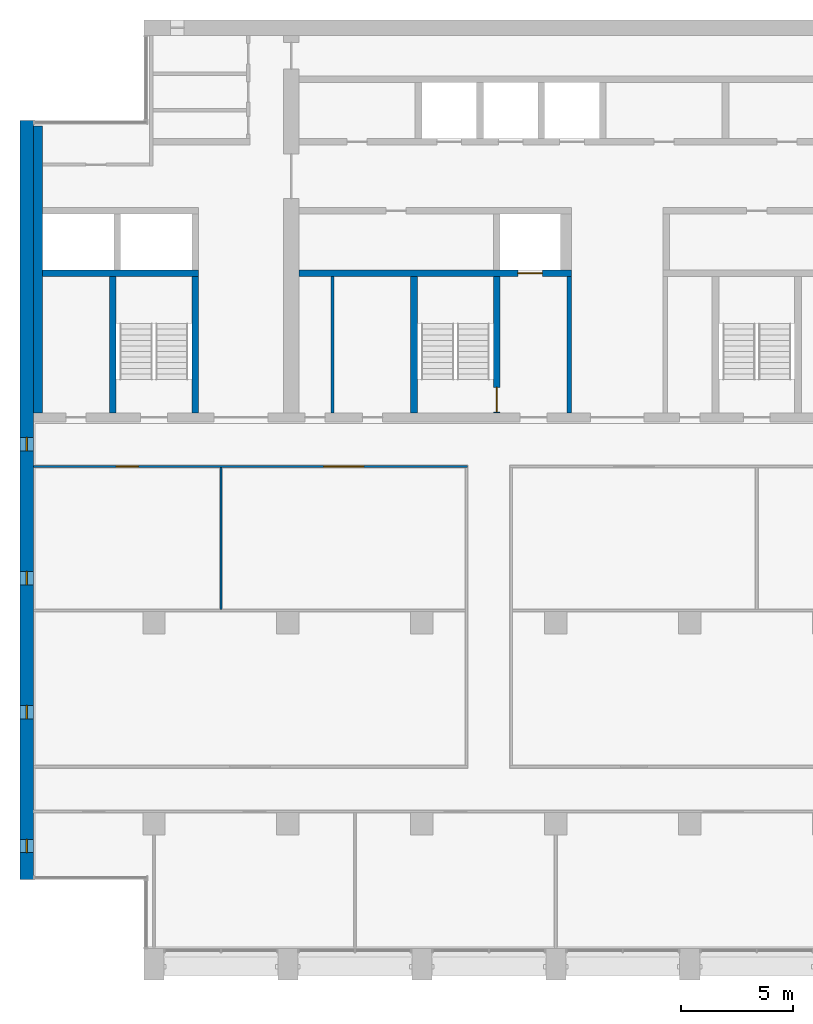
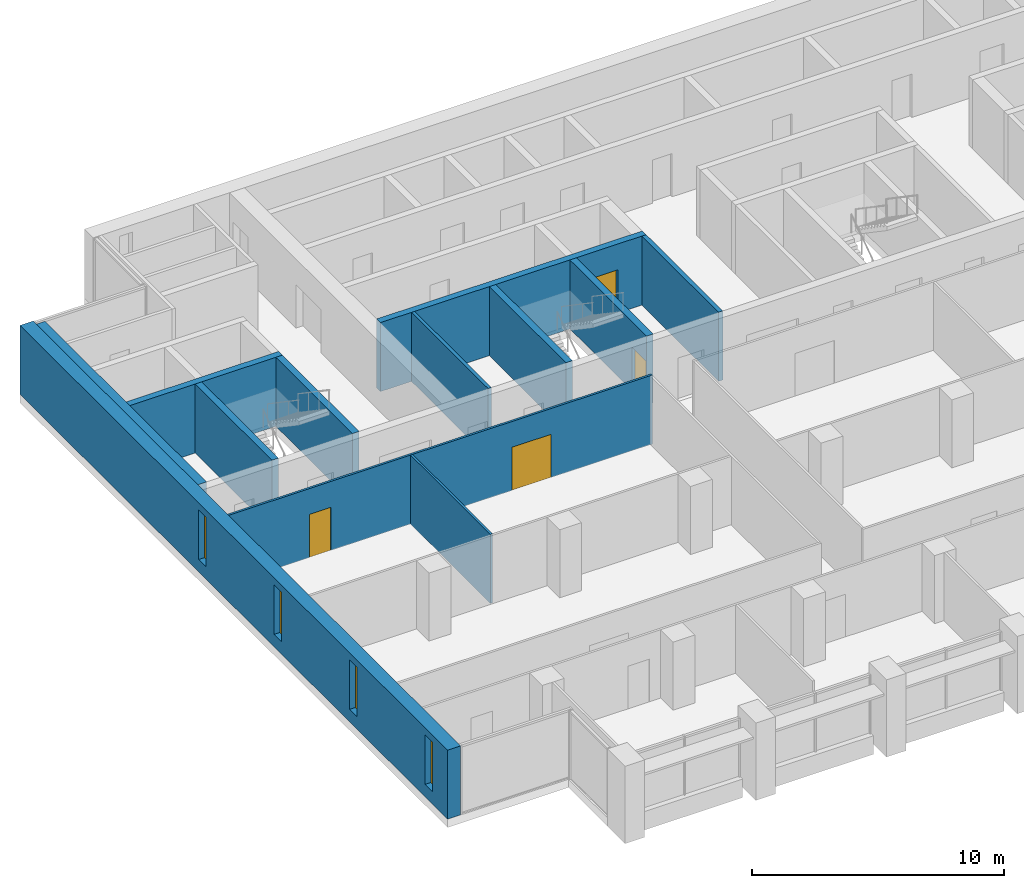
# One storey, part 8 of 17: 12 walls, 4 doors, 4 windows, 8 openings.
"""IFC4 building model written with IfcOpenShell, lengths in metres."""

from ifc_helpers import new_model, si_unit, direction, frame, frame_2d, origin, place, context, subcontext, project, spatial, rectangle, extrude, material, layer, layer_set, type_object, element, fill, save


model = new_model("IFC4")

# Units and contexts
model_context = context("Model", 3, precision=1e-05, world=origin(), true_north=direction((0.0, 1.0)))
body_context = subcontext(model_context, "Body", "Model", "MODEL_VIEW")
ifc_project = project(units=[si_unit("LENGTHUNIT", "METRE"), si_unit("AREAUNIT", "SQUARE_METRE"), si_unit("VOLUMEUNIT", "CUBIC_METRE"), si_unit("PLANEANGLEUNIT", "RADIAN"), si_unit("MASSUNIT", "GRAM", prefix="KILO")], contexts=[model_context])

# Site, building, storey
site_placement = place(None, origin())
site = spatial("IfcSite", under=ifc_project, at=site_placement, CompositionType="ELEMENT")
building_placement = place(site_placement, origin())
building = spatial("IfcBuilding", under=site, at=building_placement, Name="Calvaro Tower", CompositionType="ELEMENT")
storey_placement = place(building_placement, frame((0.0, 0.0, 219.25)))
storey = spatial("IfcBuildingStorey", under=building, at=storey_placement, Name="L55", CompositionType="ELEMENT", Elevation=219.25)

# Walls
ifc_material_1 = material(Name="Blockwork partition", Category="masonry")
ifc_layer_1 = layer(ifc_material_1, 0.14990234375)
ifc_layer_set_1 = layer_set([ifc_layer_1], Name="Blockwork partition")
wall_type_1 = type_object("IfcWallType", Name="Core partition 150 REI 120", PredefinedType="PARTITIONING", material=ifc_layer_set_1)
wall_1_placement = place(storey_placement, frame((20.0, 28.39990234375, 0.0), z_axis=(0.0, 0.0, 1.0), x_axis=(0.0, 1.0, 0.0)))
element("IfcWall", 1, at=wall_1_placement, inside=storey, type_object=wall_type_1, Name="Core partition", PredefinedType="PARTITIONING", context=body_context, shape_type="SweptSolid", body=[
    extrude(rectangle(XDim=6.10009765625, YDim=0.14990234375, at=frame_2d((3.050048828125, 0.0))), origin(), (0.0, 0.0, 1.0), 3.35009765625),
])
ifc_material_2 = material(Name="Blockwork partition", Category="masonry")
ifc_layer_2 = layer(ifc_material_2, 0.199951171875)
ifc_layer_set_2 = layer_set([ifc_layer_2], Name="Blockwork partition")
wall_type_2 = type_object("IfcWallType", Name="Core partition 200 REI 120", PredefinedType="PARTITIONING", material=ifc_layer_set_2)
wall_2_placement = place(storey_placement, frame((30.60009765625, 28.39990234375, 0.0), z_axis=(0.0, 0.0, 1.0), x_axis=(0.0, 1.0, 0.0)))
element("IfcWall", 2, at=wall_2_placement, inside=storey, type_object=wall_type_2, Name="Core partition", PredefinedType="PARTITIONING", context=body_context, shape_type="SweptSolid", body=[
    extrude(rectangle(XDim=6.10009765625, YDim=0.199951171875, at=frame_2d((3.050048828125, 0.0))), origin(), (0.0, 0.0, 1.0), 3.35009765625),
])
ifc_material_3 = material(Name="Concrete C50/60", Category="concrete")
ifc_layer_3 = layer(ifc_material_3, 0.300048828125)
ifc_layer_set_3 = layer_set([ifc_layer_3], Name="Concrete C50/60")
wall_type_3 = type_object("IfcWallType", Name="Core wall C50/60 300", PredefinedType="SHEAR", material=ifc_layer_set_3)
for number, where, z_axis, x_axis, name in (
    (3, (10.14990234375, 28.39990234375, 0.0), (0.0, 0.0, 1.0), (0.0, 1.0, 0.0), "Core wall, stair enclosure"),
    (4, (13.85009765625, 28.39990234375, 0.0), (0.0, 0.0, 1.0), (0.0, 1.0, 0.0), "Core wall, stair enclosure"),
    (5, (23.64990234375, 28.39990234375, 0.0), (0.0, 0.0, 1.0), (0.0, 1.0, 0.0), "Core wall, stair enclosure"),
):
    element("IfcWall", number, at=place(storey_placement, frame(where, z_axis=z_axis, x_axis=x_axis)), inside=storey, type_object=wall_type_3, Name=name, PredefinedType="SHEAR", context=body_context, shape_type="SweptSolid", body=[
        extrude(rectangle(XDim=6.10009765625, YDim=0.300048828125, at=frame_2d((3.050048828125, 0.0))), origin(), (0.0, 0.0, 1.0), 3.35009765625),
    ])

# Wall, opening, door
wall_3_placement = place(storey_placement, frame((27.35009765625, 28.39990234375, 0.0), z_axis=(0.0, 0.0, 1.0), x_axis=(0.0, 1.0, 0.0)))
wall_3 = element("IfcWall", 6, at=wall_3_placement, inside=storey, type_object=wall_type_3, Name="Core wall, stair enclosure", PredefinedType="SHEAR", context=body_context, shape_type="SweptSolid", body=[
    extrude(rectangle(XDim=6.10009765625, YDim=0.300048828125, at=frame_2d((3.050048828125, 0.0))), origin(), (0.0, 0.0, 1.0), 3.35009765625),
])
opening_1_placement = place(wall_3_placement, frame((0.050048828125, 0.0, 0.0)))
opening_1 = element("IfcOpeningElement", 7, at=opening_1_placement, cuts=wall_3, Name="Opening FD11D", PredefinedType="OPENING", context=body_context, shape_type="SweptSolid", body=[
    extrude(rectangle(XDim=1.10009765625, YDim=2.10009765625, at=frame_2d((0.550048828125, 1.050048828125))), frame((0.0, 0.159912109375, 0.0), z_axis=(0.0, -1.0, 0.0), x_axis=(1.0, 0.0, 0.0)), (0.0, 0.0, 1.0), 0.320068359375),
])
ifc_material_4 = material(Name="Steel door set", Category="steel")
door_type_1 = type_object("IfcDoorType", Name="Fire door 1100 FD30S", OperationType="SINGLE_SWING_LEFT", PredefinedType="DOOR", material=ifc_material_4)
door_1_placement = place(opening_1_placement, origin())
door_1 = element("IfcDoor", 8, at=door_1_placement, inside=storey, type_object=door_type_1, Name="Fire door", OperationType="SINGLE_SWING_LEFT", OverallHeight=2.10009765625, OverallWidth=1.10009765625, PredefinedType="DOOR", context=body_context, shape_type="SweptSolid", body=[
    extrude(rectangle(XDim=1.10009765625, YDim=2.10009765625, at=frame_2d((0.550048828125, 1.050048828125))), frame((0.0, 0.02490234375, 0.0), z_axis=(0.0, -1.0, 0.0), x_axis=(1.0, 0.0, 0.0)), (0.0, 0.0, 1.0), 0.050048828125),
])
fill(opening_1, door_1)

# Wall
wall_4_placement = place(storey_placement, frame((7.0, 34.64990234375, 0.0), z_axis=(0.0, 0.0, 1.0), x_axis=(1.0, 0.0, 0.0)))
element("IfcWall", 9, at=wall_4_placement, inside=storey, type_object=wall_type_3, Name="Core wall, lift shaft", PredefinedType="SHEAR", context=body_context, shape_type="SweptSolid", body=[
    extrude(rectangle(XDim=7.0, YDim=0.300048828125, at=frame_2d((3.5, 0.0))), origin(), (0.0, 0.0, 1.0), 3.35009765625),
])

# Wall, opening, door
wall_5_placement = place(storey_placement, frame((18.5, 34.64990234375, 0.0), z_axis=(0.0, 0.0, 1.0), x_axis=(1.0, 0.0, 0.0)))
wall_5 = element("IfcWall", 10, at=wall_5_placement, inside=storey, type_object=wall_type_3, Name="Core wall, lift shaft", PredefinedType="SHEAR", context=body_context, shape_type="SweptSolid", body=[
    extrude(rectangle(XDim=12.199951171875, YDim=0.300048828125, at=frame_2d((6.10009765625, 0.0))), origin(), (0.0, 0.0, 1.0), 3.35009765625),
])
opening_2_placement = place(wall_5_placement, frame((9.800048828125, 0.0, 0.0)))
opening_2 = element("IfcOpeningElement", 11, at=opening_2_placement, cuts=wall_5, Name="Opening FF1", PredefinedType="OPENING", context=body_context, shape_type="SweptSolid", body=[
    extrude(rectangle(XDim=1.10009765625, YDim=2.10009765625, at=frame_2d((0.550048828125, 1.050048828125))), frame((0.0, 0.159912109375, 0.0), z_axis=(0.0, -1.0, 0.0), x_axis=(1.0, 0.0, 0.0)), (0.0, 0.0, 1.0), 0.320068359375),
])
ifc_material_5 = material(Name="Stainless steel", Category="steel")
door_type_2 = type_object("IfcDoorType", Name="Landing door 1100 E 60", OperationType="SLIDING_TO_LEFT", PredefinedType="DOOR", material=ifc_material_5)
door_2_placement = place(opening_2_placement, origin())
door_2 = element("IfcDoor", 12, at=door_2_placement, inside=storey, type_object=door_type_2, Name="Landing door FF1", OperationType="SLIDING_TO_LEFT", OverallHeight=2.10009765625, OverallWidth=1.10009765625, PredefinedType="DOOR", context=body_context, shape_type="SweptSolid", body=[
    extrude(rectangle(XDim=1.10009765625, YDim=2.10009765625, at=frame_2d((0.550048828125, 1.050048828125))), frame((0.0, 0.02490234375, 0.0), z_axis=(0.0, -1.0, 0.0), x_axis=(1.0, 0.0, 0.0)), (0.0, 0.0, 1.0), 0.050048828125),
])
fill(opening_2, door_2)

# Wall
ifc_material_6 = material(Name="Concrete C50/60", Category="concrete")
ifc_layer_4 = layer(ifc_material_6, 0.39990234375)
ifc_layer_set_4 = layer_set([ifc_layer_4], Name="Concrete C50/60")
wall_type_4 = type_object("IfcWallType", Name="Core wall C50/60 400", PredefinedType="SHEAR", material=ifc_layer_set_4)
wall_6_placement = place(storey_placement, frame((6.800048828125, 28.39990234375, 0.0), z_axis=(0.0, 0.0, 1.0), x_axis=(0.0, 1.0, 0.0)))
element("IfcWall", 13, at=wall_6_placement, inside=storey, type_object=wall_type_4, Name="Core wall, boundary", PredefinedType="SHEAR", context=body_context, shape_type="SweptSolid", body=[
    extrude(rectangle(XDim=12.85009765625, YDim=0.39990234375, at=frame_2d((6.425048828125, 0.0))), origin(), (0.0, 0.0, 1.0), 3.35009765625),
])

# Wall, openings, windows
ifc_material_7 = material(Name="Concrete C50/60", Category="concrete")
ifc_layer_5 = layer(ifc_material_7, 0.60009765625)
ifc_layer_set_5 = layer_set([ifc_layer_5], Name="Concrete C50/60")
wall_type_5 = type_object("IfcWallType", Name="End wall 600 C50/60", PredefinedType="SHEAR", material=ifc_layer_set_5)
wall_7_placement = place(storey_placement, frame((6.300048828125, 7.5, 0.0), z_axis=(0.0, 0.0, 1.0), x_axis=(0.0, 1.0, 0.0)))
wall_7 = element("IfcWall", 14, at=wall_7_placement, inside=storey, type_object=wall_type_5, Name="End shear wall", PredefinedType="SHEAR", context=body_context, shape_type="SweptSolid", body=[
    extrude(rectangle(XDim=34.0, YDim=0.60009765625, at=frame_2d((17.0, 0.0))), origin(), (0.0, 0.0, 1.0), 3.35009765625),
])
opening_3_placement = place(wall_7_placement, frame((1.199951171875, 0.0, 0.60009765625)))
opening_3 = element("IfcOpeningElement", 15, at=opening_3_placement, cuts=wall_7, Name="Opening WW01", PredefinedType="OPENING", context=body_context, shape_type="SweptSolid", body=[
    extrude(rectangle(XDim=0.60009765625, YDim=2.39990234375, at=frame_2d((0.300048828125, 1.199951171875))), frame((0.0, 0.31005859375, 0.0), z_axis=(0.0, -1.0, 0.0), x_axis=(1.0, 0.0, 0.0)), (0.0, 0.0, 1.0), 0.6201171875),
])
opening_4_placement = place(wall_7_placement, frame((7.199951171875, 0.0, 0.60009765625)))
opening_4 = element("IfcOpeningElement", 16, at=opening_4_placement, cuts=wall_7, Name="Opening WW02", PredefinedType="OPENING", context=body_context, shape_type="SweptSolid", body=[
    extrude(rectangle(XDim=0.60009765625, YDim=2.39990234375, at=frame_2d((0.300048828125, 1.199951171875))), frame((0.0, 0.31005859375, 0.0), z_axis=(0.0, -1.0, 0.0), x_axis=(1.0, 0.0, 0.0)), (0.0, 0.0, 1.0), 0.6201171875),
])
opening_5_placement = place(wall_7_placement, frame((13.199951171875, 0.0, 0.60009765625)))
opening_5 = element("IfcOpeningElement", 17, at=opening_5_placement, cuts=wall_7, Name="Opening WW03", PredefinedType="OPENING", context=body_context, shape_type="SweptSolid", body=[
    extrude(rectangle(XDim=0.60009765625, YDim=2.39990234375, at=frame_2d((0.300048828125, 1.199951171875))), frame((0.0, 0.31005859375, 0.0), z_axis=(0.0, -1.0, 0.0), x_axis=(1.0, 0.0, 0.0)), (0.0, 0.0, 1.0), 0.6201171875),
])
opening_6_placement = place(wall_7_placement, frame((19.199951171875, 0.0, 0.60009765625)))
opening_6 = element("IfcOpeningElement", 18, at=opening_6_placement, cuts=wall_7, Name="Opening WW04", PredefinedType="OPENING", context=body_context, shape_type="SweptSolid", body=[
    extrude(rectangle(XDim=0.60009765625, YDim=2.39990234375, at=frame_2d((0.300048828125, 1.199951171875))), frame((0.0, 0.31005859375, 0.0), z_axis=(0.0, -1.0, 0.0), x_axis=(1.0, 0.0, 0.0)), (0.0, 0.0, 1.0), 0.6201171875),
])
ifc_material_8 = material(Name="Glass", Category="glass")
window_type = type_object("IfcWindowType", Name="Slit window 600 x 2400", PartitioningType="SINGLE_PANEL", PredefinedType="WINDOW", material=ifc_material_8)
window_1_placement = place(opening_3_placement, origin())
window_1 = element("IfcWindow", 19, at=window_1_placement, inside=storey, type_object=window_type, Name="Window WW01", OverallHeight=2.39990234375, OverallWidth=0.60009765625, PartitioningType="SINGLE_PANEL", PredefinedType="WINDOW", context=body_context, shape_type="SweptSolid", body=[
    extrude(rectangle(XDim=0.60009765625, YDim=2.39990234375, at=frame_2d((0.300048828125, 1.199951171875))), frame((0.0, 0.030029296875, 0.0), z_axis=(0.0, -1.0, 0.0), x_axis=(1.0, 0.0, 0.0)), (0.0, 0.0, 1.0), 0.06005859375),
])
fill(opening_3, window_1)
window_2_placement = place(opening_4_placement, origin())
window_2 = element("IfcWindow", 20, at=window_2_placement, inside=storey, type_object=window_type, Name="Window WW02", OverallHeight=2.39990234375, OverallWidth=0.60009765625, PartitioningType="SINGLE_PANEL", PredefinedType="WINDOW", context=body_context, shape_type="SweptSolid", body=[
    extrude(rectangle(XDim=0.60009765625, YDim=2.39990234375, at=frame_2d((0.300048828125, 1.199951171875))), frame((0.0, 0.030029296875, 0.0), z_axis=(0.0, -1.0, 0.0), x_axis=(1.0, 0.0, 0.0)), (0.0, 0.0, 1.0), 0.06005859375),
])
fill(opening_4, window_2)
window_3_placement = place(opening_5_placement, origin())
window_3 = element("IfcWindow", 21, at=window_3_placement, inside=storey, type_object=window_type, Name="Window WW03", OverallHeight=2.39990234375, OverallWidth=0.60009765625, PartitioningType="SINGLE_PANEL", PredefinedType="WINDOW", context=body_context, shape_type="SweptSolid", body=[
    extrude(rectangle(XDim=0.60009765625, YDim=2.39990234375, at=frame_2d((0.300048828125, 1.199951171875))), frame((0.0, 0.030029296875, 0.0), z_axis=(0.0, -1.0, 0.0), x_axis=(1.0, 0.0, 0.0)), (0.0, 0.0, 1.0), 0.06005859375),
])
fill(opening_5, window_3)
window_4_placement = place(opening_6_placement, origin())
window_4 = element("IfcWindow", 22, at=window_4_placement, inside=storey, type_object=window_type, Name="Window WW04", OverallHeight=2.39990234375, OverallWidth=0.60009765625, PartitioningType="SINGLE_PANEL", PredefinedType="WINDOW", context=body_context, shape_type="SweptSolid", body=[
    extrude(rectangle(XDim=0.60009765625, YDim=2.39990234375, at=frame_2d((0.300048828125, 1.199951171875))), frame((0.0, 0.030029296875, 0.0), z_axis=(0.0, -1.0, 0.0), x_axis=(1.0, 0.0, 0.0)), (0.0, 0.0, 1.0), 0.06005859375),
])
fill(opening_6, window_4)

# Wall, openings, doors
ifc_material_9 = material(Name="Plasterboard on steel studs", Category="steel")
ifc_layer_6 = layer(ifc_material_9, 0.10009765625)
ifc_layer_set_6 = layer_set([ifc_layer_6], Name="Plasterboard on steel studs")
wall_type_6 = type_object("IfcWallType", Name="Partition 100", PredefinedType="PARTITIONING", material=ifc_layer_set_6)
wall_8_placement = place(storey_placement, frame((6.60009765625, 26.0, 0.0), z_axis=(0.0, 0.0, 1.0), x_axis=(1.0, 0.0, 0.0)))
wall_8 = element("IfcWall", 23, at=wall_8_placement, inside=storey, type_object=wall_type_6, Name="Partition T31.W008", PredefinedType="PARTITIONING", context=body_context, shape_type="SweptSolid", body=[
    extrude(rectangle(XDim=19.449951171875, YDim=0.10009765625, at=frame_2d((9.72509765625, 0.0))), origin(), (0.0, 0.0, 1.0), 3.35009765625),
])
opening_7_placement = place(wall_8_placement, frame((3.699951171875, 0.0, 0.0)))
opening_7 = element("IfcOpeningElement", 24, at=opening_7_placement, cuts=wall_8, Name="Opening T31.012", PredefinedType="OPENING", context=body_context, shape_type="SweptSolid", body=[
    extrude(rectangle(XDim=1.0, YDim=2.10009765625, at=frame_2d((0.5, 1.050048828125))), frame((0.0, 0.06005859375, 0.0), z_axis=(0.0, -1.0, 0.0), x_axis=(1.0, 0.0, 0.0)), (0.0, 0.0, 1.0), 0.1201171875),
])
opening_8_placement = place(wall_8_placement, frame((13.0, 0.0, 0.0)))
opening_8 = element("IfcOpeningElement", 25, at=opening_8_placement, cuts=wall_8, Name="Opening T31.013", PredefinedType="OPENING", context=body_context, shape_type="SweptSolid", body=[
    extrude(rectangle(XDim=1.800048828125, YDim=2.10009765625, at=frame_2d((0.89990234375, 1.050048828125))), frame((0.0, 0.06005859375, 0.0), z_axis=(0.0, -1.0, 0.0), x_axis=(1.0, 0.0, 0.0)), (0.0, 0.0, 1.0), 0.1201171875),
])
ifc_material_10 = material(Name="Timber", Category="wood")
door_type_3 = type_object("IfcDoorType", Name="Internal double door 1800 x 2100", OperationType="DOUBLE_DOOR_SINGLE_SWING", PredefinedType="DOOR", material=ifc_material_10)
door_3_placement = place(opening_8_placement, origin())
door_3 = element("IfcDoor", 26, at=door_3_placement, inside=storey, type_object=door_type_3, Name="Door T31.013", OperationType="DOUBLE_DOOR_SINGLE_SWING", OverallHeight=2.10009765625, OverallWidth=1.800048828125, PredefinedType="DOOR", context=body_context, shape_type="SweptSolid", body=[
    extrude(rectangle(XDim=1.800048828125, YDim=2.10009765625, at=frame_2d((0.89990234375, 1.050048828125))), frame((0.0, 0.02490234375, 0.0), z_axis=(0.0, -1.0, 0.0), x_axis=(1.0, 0.0, 0.0)), (0.0, 0.0, 1.0), 0.050048828125),
])
fill(opening_8, door_3)
ifc_material_11 = material(Name="Timber", Category="wood")
door_type_4 = type_object("IfcDoorType", Name="Internal single door 1000 x 2100", OperationType="SINGLE_SWING_LEFT", PredefinedType="DOOR", material=ifc_material_11)
door_4_placement = place(opening_7_placement, origin())
door_4 = element("IfcDoor", 27, at=door_4_placement, inside=storey, type_object=door_type_4, Name="Door T31.012", OperationType="SINGLE_SWING_LEFT", OverallHeight=2.10009765625, OverallWidth=1.0, PredefinedType="DOOR", context=body_context, shape_type="SweptSolid", body=[
    extrude(rectangle(XDim=1.0, YDim=2.10009765625, at=frame_2d((0.5, 1.050048828125))), frame((0.0, 0.02490234375, 0.0), z_axis=(0.0, -1.0, 0.0), x_axis=(1.0, 0.0, 0.0)), (0.0, 0.0, 1.0), 0.050048828125),
])
fill(opening_7, door_4)

# Wall
wall_9_placement = place(storey_placement, frame((15.0, 19.60009765625, 0.0), z_axis=(0.0, 0.0, 1.0), x_axis=(0.0, 1.0, 0.0)))
element("IfcWall", 28, at=wall_9_placement, inside=storey, type_object=wall_type_6, Name="Partition T31.W013", PredefinedType="PARTITIONING", context=body_context, shape_type="SweptSolid", body=[
    extrude(rectangle(XDim=6.349853515625, YDim=0.10009765625, at=frame_2d((3.1748046875, 0.0))), origin(), (0.0, 0.0, 1.0), 3.35009765625),
])

save(model, "model.ifc")
